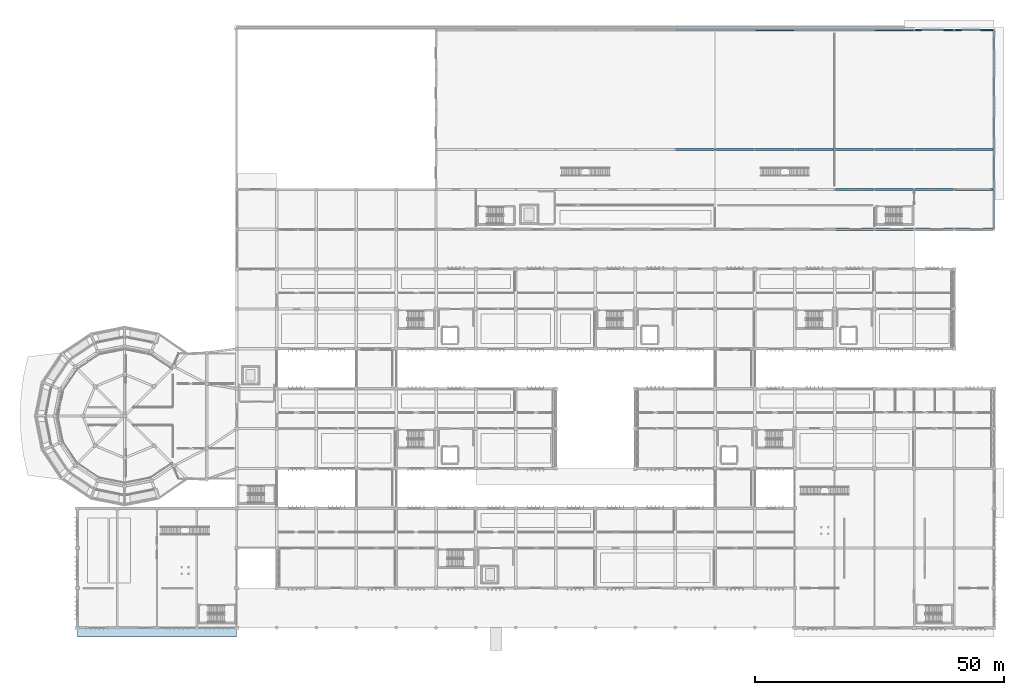
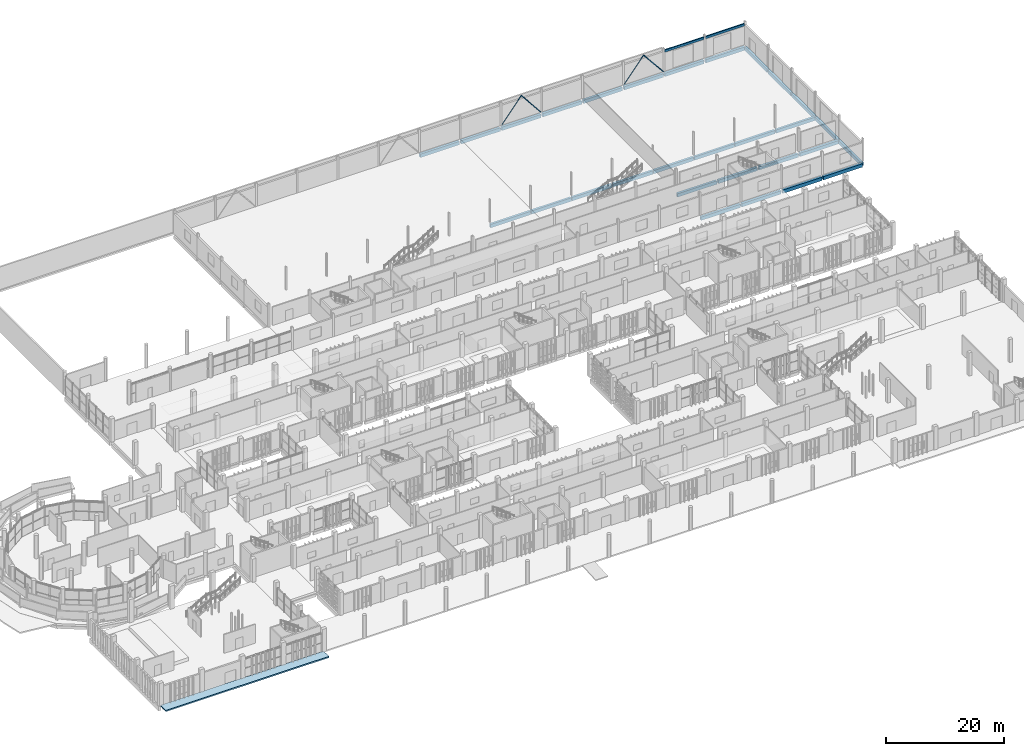
# One storey, part 74 of 117: 31 beams, 4 members, 1 slab.
"""IFC4 building model written with IfcOpenShell, lengths in metres."""

from ifc_helpers import new_model, si_unit, direction, frame, origin, origin_2d, place, context, subcontext, project, spatial, polyline, rectangle, hollow_rectangle, outline, extrude, material, layer, layer_set, material_profile, profile_set, type_object, element, save


model = new_model("IFC4")

# Units and contexts
model_context = context("Model", 3, precision=1e-05, world=origin(), true_north=direction((0.0, 1.0)))
body_context = subcontext(model_context, "Body", "Model", "MODEL_VIEW")
ifc_project = project(units=[si_unit("LENGTHUNIT", "METRE"), si_unit("AREAUNIT", "SQUARE_METRE"), si_unit("VOLUMEUNIT", "CUBIC_METRE"), si_unit("PLANEANGLEUNIT", "RADIAN"), si_unit("MASSUNIT", "GRAM", prefix="KILO")], contexts=[model_context])

# Site, building, storey
site_placement = place(None, origin())
site = spatial("IfcSite", under=ifc_project, at=site_placement, CompositionType="ELEMENT")
building_placement = place(site_placement, origin())
building = spatial("IfcBuilding", under=site, at=building_placement, Name="Jelvoka-Kovrelna Polytechnic", CompositionType="ELEMENT")
storey_placement = place(building_placement, origin())
storey = spatial("IfcBuildingStorey", under=building, at=storey_placement, Name="L01", CompositionType="ELEMENT", Elevation=0.0)

# Beams
ifc_material_1 = material(Name="Concrete C40/50", Category="concrete")
ifc_material_profile_1 = material_profile(ifc_material_1, rectangle(XDim=0.449951171875, YDim=0.699951171875, at=origin_2d()), Name="RC 450x700")
ifc_profile_set_1 = profile_set([ifc_material_profile_1], Name="Concrete C40/50")
beam_type_1 = type_object("IfcBeamType", Name="Beam_RC_450x700", PredefinedType="BEAM", material=ifc_profile_set_1)
beam_1_placement = place(storey_placement, frame((136.0830078125, 96.0, -0.760009765625), z_axis=(1.0, 0.0, 0.0), x_axis=(0.0, 1.0, 0.0)))
element("IfcBeam", 1, at=beam_1_placement, inside=storey, type_object=beam_type_1, Name="L01 beam 0033", PredefinedType="BEAM", context=body_context, shape_type="SweptSolid", body=[
    extrude(rectangle(XDim=0.449951171875, YDim=0.699951171875, at=origin_2d()), origin(), (0.0, 0.0, 1.0), 7.8095703125),
])
beam_2_placement = place(storey_placement, frame((136.164306640625, 120.0, -0.760009765625), z_axis=(1.0, 0.0, 0.0), x_axis=(0.0, 1.0, 0.0)))
element("IfcBeam", 2, at=beam_2_placement, inside=storey, type_object=beam_type_1, Name="L01 beam 0034", PredefinedType="BEAM", context=body_context, shape_type="SweptSolid", body=[
    extrude(rectangle(XDim=0.449951171875, YDim=0.699951171875, at=origin_2d()), origin(), (0.0, 0.0, 1.0), 7.67138671875),
])
beam_3_placement = place(storey_placement, frame((144.107421875, 96.0, -0.760009765625), z_axis=(1.0, 0.0, 0.0), x_axis=(0.0, 1.0, 0.0)))
element("IfcBeam", 3, at=beam_3_placement, inside=storey, type_object=beam_type_1, Name="L01 beam 0038", PredefinedType="BEAM", context=body_context, shape_type="SweptSolid", body=[
    extrude(rectangle(XDim=0.449951171875, YDim=0.699951171875, at=origin_2d()), origin(), (0.0, 0.0, 1.0), 7.8095703125),
])
beam_4_placement = place(storey_placement, frame((144.164306640625, 120.0, -0.760009765625), z_axis=(1.0, 0.0, 0.0), x_axis=(0.0, 1.0, 0.0)))
element("IfcBeam", 4, at=beam_4_placement, inside=storey, type_object=beam_type_1, Name="L01 beam 0039", PredefinedType="BEAM", context=body_context, shape_type="SweptSolid", body=[
    extrude(rectangle(XDim=0.449951171875, YDim=0.699951171875, at=origin_2d()), origin(), (0.0, 0.0, 1.0), 7.67138671875),
])
beam_5_placement = place(storey_placement, frame((152.0830078125, 96.0, -0.760009765625), z_axis=(1.0, 0.0, 0.0), x_axis=(0.0, 1.0, 0.0)))
element("IfcBeam", 5, at=beam_5_placement, inside=storey, type_object=beam_type_1, Name="L01 beam 0043", PredefinedType="BEAM", context=body_context, shape_type="SweptSolid", body=[
    extrude(rectangle(XDim=0.449951171875, YDim=0.699951171875, at=origin_2d()), origin(), (0.0, 0.0, 1.0), 7.8095703125),
])
beam_6_placement = place(storey_placement, frame((152.164306640625, 120.0, -0.760009765625), z_axis=(1.0, 0.0, 0.0), x_axis=(0.0, 1.0, 0.0)))
element("IfcBeam", 6, at=beam_6_placement, inside=storey, type_object=beam_type_1, Name="L01 beam 0044", PredefinedType="BEAM", context=body_context, shape_type="SweptSolid", body=[
    extrude(rectangle(XDim=0.449951171875, YDim=0.699951171875, at=origin_2d()), origin(), (0.0, 0.0, 1.0), 7.67138671875),
])
beam_7_placement = place(storey_placement, frame((160.107421875, 96.0, -0.760009765625), z_axis=(1.0, 0.0, 0.0), x_axis=(0.0, 1.0, 0.0)))
element("IfcBeam", 7, at=beam_7_placement, inside=storey, type_object=beam_type_1, Name="L01 beam 0048", PredefinedType="BEAM", context=body_context, shape_type="SweptSolid", body=[
    extrude(rectangle(XDim=0.449951171875, YDim=0.699951171875, at=origin_2d()), origin(), (0.0, 0.0, 1.0), 7.8095703125),
])
for number, where, z_axis, x_axis, name in (
    (8, (160.164306640625, 120.0, -0.760009765625), (1.0, 0.0, 0.0), (0.0, 1.0, 0.0), "L01 beam 0049"),
    (9, (168.164306640625, 80.0, -0.760009765625), (1.0, 0.0, 0.0), (0.0, 1.0, 0.0), "L01 beam 0051"),
    (10, (168.164306640625, 88.0, -0.760009765625), (1.0, 0.0, 0.0), (0.0, 1.0, 0.0), "L01 beam 0052"),
):
    element("IfcBeam", number, at=place(storey_placement, frame(where, z_axis=z_axis, x_axis=x_axis)), inside=storey, type_object=beam_type_1, Name=name, PredefinedType="BEAM", context=body_context, shape_type="SweptSolid", body=[
        extrude(rectangle(XDim=0.449951171875, YDim=0.699951171875, at=origin_2d()), origin(), (0.0, 0.0, 1.0), 7.67138671875),
    ])
beam_8_placement = place(storey_placement, frame((168.0830078125, 96.0, -0.760009765625), z_axis=(1.0, 0.0, 0.0), x_axis=(0.0, 1.0, 0.0)))
element("IfcBeam", 11, at=beam_8_placement, inside=storey, type_object=beam_type_1, Name="L01 beam 0053", PredefinedType="BEAM", context=body_context, shape_type="SweptSolid", body=[
    extrude(rectangle(XDim=0.449951171875, YDim=0.699951171875, at=origin_2d()), origin(), (0.0, 0.0, 1.0), 7.8095703125),
])
for number, where, z_axis, x_axis, name in (
    (12, (168.164306640625, 120.0, -0.760009765625), (1.0, 0.0, 0.0), (0.0, 1.0, 0.0), "L01 beam 0054"),
    (13, (176.164306640625, 80.0, -0.760009765625), (1.0, 0.0, 0.0), (0.0, 1.0, 0.0), "L01 beam 0056"),
    (14, (176.164306640625, 88.0, -0.760009765625), (1.0, 0.0, 0.0), (0.0, 1.0, 0.0), "L01 beam 0057"),
):
    element("IfcBeam", number, at=place(storey_placement, frame(where, z_axis=z_axis, x_axis=x_axis)), inside=storey, type_object=beam_type_1, Name=name, PredefinedType="BEAM", context=body_context, shape_type="SweptSolid", body=[
        extrude(rectangle(XDim=0.449951171875, YDim=0.699951171875, at=origin_2d()), origin(), (0.0, 0.0, 1.0), 7.67138671875),
    ])
beam_9_placement = place(storey_placement, frame((176.107421875, 96.0, -0.760009765625), z_axis=(1.0, 0.0, 0.0), x_axis=(0.0, 1.0, 0.0)))
element("IfcBeam", 15, at=beam_9_placement, inside=storey, type_object=beam_type_1, Name="L01 beam 0058", PredefinedType="BEAM", context=body_context, shape_type="SweptSolid", body=[
    extrude(rectangle(XDim=0.449951171875, YDim=0.699951171875, at=origin_2d()), origin(), (0.0, 0.0, 1.0), 7.8095703125),
])
for number, where, z_axis, x_axis, name in (
    (16, (176.164306640625, 120.0, -0.760009765625), (1.0, 0.0, 0.0), (0.0, 1.0, 0.0), "L01 beam 0059"),
    (17, (184.164306640625, 80.0, -0.760009765625), (1.0, 0.0, 0.0), (0.0, 1.0, 0.0), "L01 beam 0061"),
    (18, (184.164306640625, 88.0, -0.760009765625), (1.0, 0.0, 0.0), (0.0, 1.0, 0.0), "L01 beam 0062"),
):
    element("IfcBeam", number, at=place(storey_placement, frame(where, z_axis=z_axis, x_axis=x_axis)), inside=storey, type_object=beam_type_1, Name=name, PredefinedType="BEAM", context=body_context, shape_type="SweptSolid", body=[
        extrude(rectangle(XDim=0.449951171875, YDim=0.699951171875, at=origin_2d()), origin(), (0.0, 0.0, 1.0), 7.67138671875),
    ])
beam_10_placement = place(storey_placement, frame((184.0830078125, 96.0, -0.760009765625), z_axis=(1.0, 0.0, 0.0), x_axis=(0.0, 1.0, 0.0)))
element("IfcBeam", 19, at=beam_10_placement, inside=storey, type_object=beam_type_1, Name="L01 beam 0063", PredefinedType="BEAM", context=body_context, shape_type="SweptSolid", body=[
    extrude(rectangle(XDim=0.449951171875, YDim=0.699951171875, at=origin_2d()), origin(), (0.0, 0.0, 1.0), 7.8095703125),
])
for number, where, z_axis, x_axis, name in (
    (20, (184.164306640625, 120.0, -0.760009765625), (1.0, 0.0, 0.0), (0.0, 1.0, 0.0), "L01 beam 0064"),
    (21, (192.164306640625, 80.0, -0.760009765625), (1.0, 0.0, 0.0), (0.0, 1.0, 0.0), "L01 beam 0066"),
    (22, (192.164306640625, 88.0, -0.760009765625), (1.0, 0.0, 0.0), (0.0, 1.0, 0.0), "L01 beam 0067"),
):
    element("IfcBeam", number, at=place(storey_placement, frame(where, z_axis=z_axis, x_axis=x_axis)), inside=storey, type_object=beam_type_1, Name=name, PredefinedType="BEAM", context=body_context, shape_type="SweptSolid", body=[
        extrude(rectangle(XDim=0.449951171875, YDim=0.699951171875, at=origin_2d()), origin(), (0.0, 0.0, 1.0), 7.67138671875),
    ])
beam_11_placement = place(storey_placement, frame((192.107421875, 96.0, -0.760009765625), z_axis=(1.0, 0.0, 0.0), x_axis=(0.0, 1.0, 0.0)))
element("IfcBeam", 23, at=beam_11_placement, inside=storey, type_object=beam_type_1, Name="L01 beam 0068", PredefinedType="BEAM", context=body_context, shape_type="SweptSolid", body=[
    extrude(rectangle(XDim=0.449951171875, YDim=0.699951171875, at=origin_2d()), origin(), (0.0, 0.0, 1.0), 7.728271484375),
])
beam_12_placement = place(storey_placement, frame((192.164306640625, 120.0, -0.760009765625), z_axis=(1.0, 0.0, 0.0), x_axis=(0.0, 1.0, 0.0)))
element("IfcBeam", 24, at=beam_12_placement, inside=storey, type_object=beam_type_1, Name="L01 beam 0069", PredefinedType="BEAM", context=body_context, shape_type="SweptSolid", body=[
    extrude(rectangle(XDim=0.449951171875, YDim=0.699951171875, at=origin_2d()), origin(), (0.0, 0.0, 1.0), 7.67138671875),
])
for number, where, z_axis, x_axis, name in (
    (25, (200.0, 80.15771484375, -0.760009765625), (0.0, 1.0, 0.0), (-1.0, 0.0, 0.0), "L01 beam 0072"),
    (26, (200.0, 88.15771484375, -0.760009765625), (0.0, 1.0, 0.0), (-1.0, 0.0, 0.0), "L01 beam 0075"),
    (27, (200.0, 96.15771484375, -0.760009765625), (0.0, 1.0, 0.0), (-1.0, 0.0, 0.0), "L01 beam 0079"),
    (28, (200.0, 104.15771484375, -0.760009765625), (0.0, 1.0, 0.0), (-1.0, 0.0, 0.0), "L01 beam 0083"),
    (29, (200.0, 112.15771484375, -0.760009765625), (0.0, 1.0, 0.0), (-1.0, 0.0, 0.0), "L01 beam 0087"),
):
    element("IfcBeam", number, at=place(storey_placement, frame(where, z_axis=z_axis, x_axis=x_axis)), inside=storey, type_object=beam_type_1, Name=name, PredefinedType="BEAM", context=body_context, shape_type="SweptSolid", body=[
        extrude(rectangle(XDim=0.449951171875, YDim=0.699951171875, at=origin_2d()), origin(), (0.0, 0.0, 1.0), 7.6845703125),
    ])
ifc_material_2 = material(Name="Precast concrete C40/50", Category="concrete")
ifc_material_profile_2 = material_profile(ifc_material_2, rectangle(XDim=0.25, YDim=0.449951171875, at=origin_2d()), Name="RC 250x450")
ifc_profile_set_2 = profile_set([ifc_material_profile_2], Name="Precast concrete C40/50")
beam_type_2 = type_object("IfcBeamType", Name="Lintel_RC_250x450", PredefinedType="LINTEL", material=ifc_profile_set_2)
for number, where, z_axis, x_axis, name in (
    (30, (184.14990234375, 120.0, 4.10009765625), (1.0, 0.0, 0.0), (0.0, 1.0, 0.0), "L01 workshop service gate lintel beam 2899"),
    (31, (192.14990234375, 120.0, 4.10009765625), (1.0, 0.0, 0.0), (0.0, 1.0, 0.0), "L01 workshop service gate lintel beam 2900"),
):
    element("IfcBeam", number, at=place(storey_placement, frame(where, z_axis=z_axis, x_axis=x_axis)), inside=storey, type_object=beam_type_2, Name=name, PredefinedType="LINTEL", context=body_context, shape_type="SweptSolid", body=[
        extrude(rectangle(XDim=0.25, YDim=0.449951171875, at=origin_2d()), origin(), (0.0, 0.0, 1.0), 7.7001953125),
    ])

# Members
ifc_material_3 = material(Name="Structural steel S355J2H", Category="steel")
ifc_material_profile_3 = material_profile(ifc_material_3, hollow_rectangle(XDim=0.1201171875, YDim=0.1201171875, WallThickness=0.008056640625, InnerFilletRadius=0.008056640625, OuterFilletRadius=0.011962890625, at=origin_2d()), Name="120x120x8.0 SHS")
ifc_profile_set_3 = profile_set([ifc_material_profile_3], Name="Structural steel S355J2H")
member_type = type_object("IfcMemberType", Name="Member_Brace_SHS120", PredefinedType="BRACE", material=ifc_profile_set_3)
for number, where, z_axis, x_axis, name in (
    (32, (152.14990234375, 119.8798828125, 0.02001953125), (0.628878112356, 0.0, 0.777503903399), (0.0, 1.0, 0.0), "L01 workshop vertical wall K-brace 0239"),
    (33, (159.85009765625, 119.8798828125, 0.02001953125), (-0.628878112356, 0.0, 0.777503903399), (0.0, -1.0, 0.0), "L01 workshop vertical wall K-brace 0240"),
    (34, (176.14990234375, 119.8798828125, 0.02001953125), (0.628878112356, 0.0, 0.777503903399), (0.0, 1.0, 0.0), "L01 workshop vertical wall K-brace 0243"),
    (35, (183.85009765625, 119.8798828125, 0.02001953125), (-0.628878112356, 0.0, 0.777503903399), (0.0, -1.0, 0.0), "L01 workshop vertical wall K-brace 0244"),
):
    element("IfcMember", number, at=place(storey_placement, frame(where, z_axis=z_axis, x_axis=x_axis)), inside=storey, type_object=member_type, Name=name, PredefinedType="BRACE", context=body_context, shape_type="SweptSolid", body=[
        extrude(hollow_rectangle(XDim=0.1201171875, YDim=0.1201171875, WallThickness=0.008056640625, InnerFilletRadius=0.008056640625, OuterFilletRadius=0.011962890625, at=origin_2d()), origin(), (0.0, 0.0, 1.0), 6.1220703125),
    ])

# Slab
ifc_material_4 = material(Name="Concrete C35/45", Category="concrete")
ifc_layer = layer(ifc_material_4, 0.280029296875)
ifc_layer_set = layer_set([ifc_layer], Name="Concrete C35/45")
slab_type = type_object("IfcSlabType", Name="Slab_Base_280", PredefinedType="BASESLAB", material=ifc_layer_set)
slab_placement = place(storey_placement, frame((0.0, 0.0, -0.280029296875)))
element("IfcSlab", 36, at=slab_placement, inside=storey, type_object=slab_type, Name="L01 south lecture entrance plinth terrace", PredefinedType="BASESLAB", context=body_context, shape_type="SweptSolid", body=[
    extrude(outline(polyline([(16.0, -1.800048828125), (48.0, -1.800048828125), (48.0, 0.0), (16.0, 0.0), (16.0, -1.800048828125)])), origin(), (0.0, 0.0, 1.0), 0.280029296875),
])

save(model, "model.ifc")
